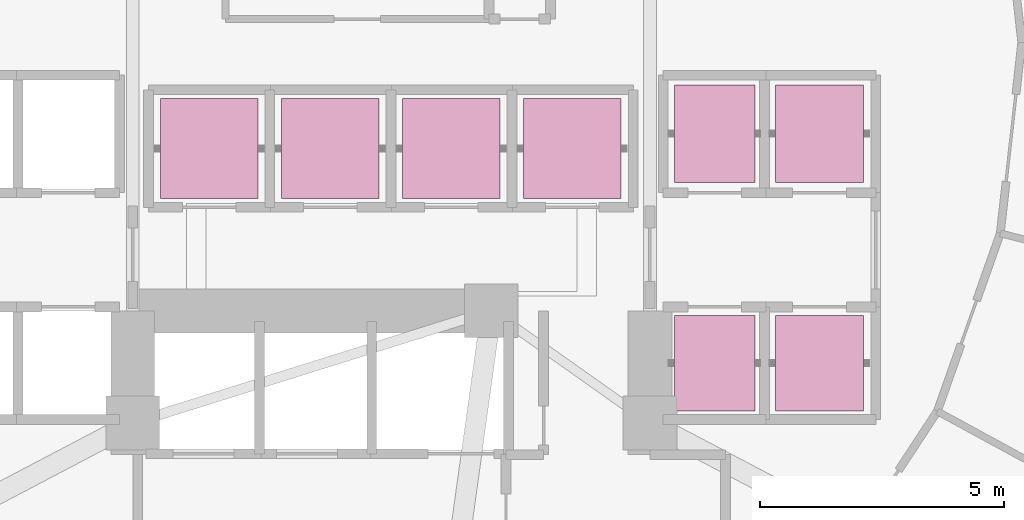
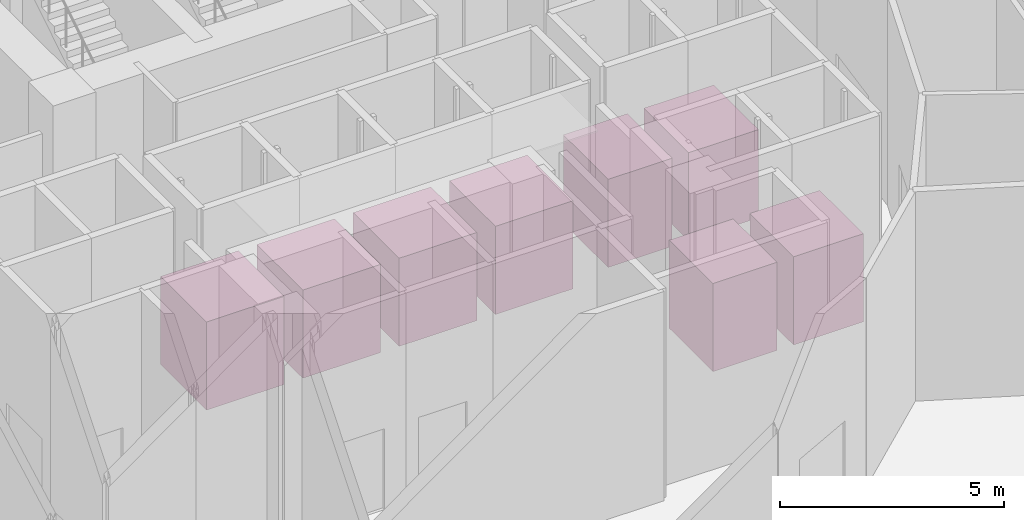
# One storey, part 40 of 40: 8 transport elements.
"""IFC4 building model written with IfcOpenShell, lengths in metres."""

import ifcopenshell
import ifcopenshell.guid

model = None  # the IFC model being written
_history = None  # IfcOwnerHistory: only IFC2X3 demands one
_inside = {}  # id of a spatial element -> (the spatial element, [elements in it])
_under = {}  # id of a project, library or spatial element -> (it, [spatial elements below it])
_declared = {}  # id of a project -> (the project, [libraries it declares])
_typed = {}  # id of a type object -> (the type object, [elements of that type])
_made_of = {}  # id of a material, layer set ... -> (it, [elements and type objects made of it])


def new_model(schema):
    """Start an empty IFC model of exactly this schema.

    Asked for "IFC4X3", IfcOpenShell would pick the latest addendum, in which some entities
    have other attributes; the version numbers below select the first issue.
    IFC2X3 requires an IfcOwnerHistory on every rooted entity: one is made here for all.
    """
    global model, _history
    if schema == "IFC4X3":
        model = ifcopenshell.file(schema_version=(4, 3, 0, 0))
    else:
        model = ifcopenshell.file(schema=schema)
    _inside.clear()
    _under.clear()
    _declared.clear()
    _typed.clear()
    _made_of.clear()
    _history = None
    if model.schema == "IFC2X3":
        org = make("IfcOrganization", Name="unknown")
        user = make(
            "IfcPersonAndOrganization",
            ThePerson=make("IfcPerson", FamilyName="unknown"),
            TheOrganization=org,
        )
        app = make(
            "IfcApplication",
            ApplicationDeveloper=org,
            Version="unknown",
            ApplicationFullName="unknown",
            ApplicationIdentifier="unknown",
        )
        _history = make(
            "IfcOwnerHistory",
            OwningUser=user,
            OwningApplication=app,
            ChangeAction="ADDED",
            CreationDate=0,
        )
    return model


def make(cls, **values):
    """One entity of the class cls with the attributes given. An attribute that is None is left unset."""
    return model.create_entity(
        cls, **{name: value for name, value in values.items() if value is not None}
    )


def rooted(cls, **values):
    """An entity with a GlobalId (a new one), such as an element, a storey or a relation."""
    return make(cls, GlobalId=ifcopenshell.guid.new(), OwnerHistory=_history, **values)


def si_unit(unit_type, name, prefix=None):
    """IfcSIUnit, for example si_unit("LENGTHUNIT", "METRE", prefix="MILLI")."""
    return make("IfcSIUnit", UnitType=unit_type, Prefix=prefix, Name=name)


def assignment(units):
    """IfcUnitAssignment: the units of a project."""
    return None if units is None else make("IfcUnitAssignment", Units=units)


def point(xyz):
    """IfcCartesianPoint."""
    return None if xyz is None else make("IfcCartesianPoint", Coordinates=xyz)


def direction(xyz):
    """IfcDirection."""
    return None if xyz is None else make("IfcDirection", DirectionRatios=xyz)


def frame(location, z_axis=None, x_axis=None):
    """IfcAxis2Placement3D, a coordinate frame: its origin and axes. An axis left out is left unset."""
    return make(
        "IfcAxis2Placement3D",
        Location=point(location),
        Axis=direction(z_axis),
        RefDirection=direction(x_axis),
    )


def frame_2d(location, x_axis=None):
    """IfcAxis2Placement2D, a coordinate frame in the plane: its origin and x axis."""
    return make(
        "IfcAxis2Placement2D", Location=point(location), RefDirection=direction(x_axis)
    )


def origin():
    """The frame at (0, 0, 0) with its axes left unset."""
    return frame((0.0, 0.0, 0.0))


def origin_2d():
    """The frame at (0, 0) in the plane with its x axis left unset."""
    return frame_2d((0.0, 0.0))


def place(relative_to, where):
    """IfcLocalPlacement: puts the frame where relative to a parent placement (None: the world)."""
    return make(
        "IfcLocalPlacement", PlacementRelTo=relative_to, RelativePlacement=where
    )


def context(
    kind, dimensions, precision=None, world=None, true_north=None, identifier=None
):
    """IfcGeometricRepresentationContext, for example the 3D "Model" context."""
    return make(
        "IfcGeometricRepresentationContext",
        ContextIdentifier=identifier,
        ContextType=kind,
        CoordinateSpaceDimension=dimensions,
        Precision=precision,
        WorldCoordinateSystem=world,
        TrueNorth=true_north,
    )


def subcontext(parent, identifier, kind, view, scale=None):
    """IfcGeometricRepresentationSubContext, for example "Body" below "Model"."""
    return make(
        "IfcGeometricRepresentationSubContext",
        ContextIdentifier=identifier,
        ContextType=kind,
        ParentContext=parent,
        TargetScale=scale,
        TargetView=view,
    )


def project(units=None, contexts=None):
    """IfcProject with its units and contexts."""
    return rooted(
        "IfcProject",
        Name="project",
        RepresentationContexts=contexts,
        UnitsInContext=assignment(units),
    )


def spatial(cls, under=None, at=None, **own):
    """A site, building, storey or space (cls), placed at a placement, below another one or the project."""
    s = rooted(cls, ObjectPlacement=at, **own)
    if under is not None:
        _under.setdefault(under.id(), (under, []))[1].append(s)
    return s


def profile(cls, at=None, kind="AREA", **sizes):
    """A parametric profile (cls). Its sizes go by their IFC names, for example OverallWidth=200.0."""
    return make(cls, ProfileType=kind, Position=at, **sizes)


def rectangle(**sizes):
    """IfcRectangleProfileDef."""
    return profile("IfcRectangleProfileDef", **sizes)


def extrude(swept, where, along, depth):
    """IfcExtrudedAreaSolid: the profile swept, set in the frame where, extruded along a direction by depth."""
    return make(
        "IfcExtrudedAreaSolid",
        SweptArea=swept,
        Position=where,
        ExtrudedDirection=direction(along),
        Depth=depth,
    )


def shape(context_of_items, identifier, shape_type, items):
    """IfcShapeRepresentation: the items that make up one representation, for example the "Body"."""
    return make(
        "IfcShapeRepresentation",
        ContextOfItems=context_of_items,
        RepresentationIdentifier=identifier,
        RepresentationType=shape_type,
        Items=items,
    )


def material(Name=None, Category=None):
    """IfcMaterial."""
    return make("IfcMaterial", Name=Name, Category=Category)


def made_of(thing, what):
    """Note that an element or type object is made of a material, layer set ...; save() writes the relation."""
    if what is not None:
        _made_of.setdefault(what.id(), (what, []))[1].append(thing)
    return thing


def type_object(cls, material=None, **own):
    """A type object (cls), such as IfcWallType, which elements share."""
    return made_of(rooted(cls, **own), material)


def element(
    cls,
    number,
    at=None,
    inside=None,
    cuts=None,
    type_object=None,
    material=None,
    context=None,
    identifier="Body",
    shape_type=None,
    held_by="IfcProductDefinitionShape",
    body=None,
    shapes=None,
    **own,
):
    """One element of the class cls, such as IfcWall. Its Tag is "e" and its number.

    at: its placement. inside: the storey or other place that contains it. cuts: it is an
    opening in that element (IfcRelVoidsElement). A single representation is given by context,
    identifier, shape_type and body (its items); several are given by shapes. held_by: the class
    of the entity that holds the representations. save() writes the other relations.
    """
    e = rooted(cls, Tag="e%d" % number, ObjectPlacement=at, **own)
    if body is not None:
        shapes = [shape(context, identifier, shape_type, body)]
    if shapes is not None:
        e.Representation = make(held_by, Representations=shapes)
    if inside is not None:
        _inside.setdefault(inside.id(), (inside, []))[1].append(e)
    if cuts is not None:
        rooted(
            "IfcRelVoidsElement", RelatingBuildingElement=cuts, RelatedOpeningElement=e
        )
    if type_object is not None:
        _typed.setdefault(type_object.id(), (type_object, []))[1].append(e)
    return made_of(e, material)


def aggregate(whole, parts):
    """IfcRelAggregates: a whole, such as a stair, and the parts it consists of."""
    return rooted("IfcRelAggregates", RelatingObject=whole, RelatedObjects=parts)


def save(model, path):
    """Write the relations noted so far, then the file.

    IfcRelAggregates (storeys below a building ...), IfcRelContainedInSpatialStructure (elements
    in a storey), IfcRelDefinesByType, IfcRelAssociatesMaterial and IfcRelDeclares: one each for
    every whole, place, type object, material and project.
    """
    for whole, parts in _under.values():
        aggregate(whole, parts)
    for where, things in _inside.values():
        rooted(
            "IfcRelContainedInSpatialStructure",
            RelatedElements=things,
            RelatingStructure=where,
        )
    for kind, things in _typed.values():
        rooted("IfcRelDefinesByType", RelatedObjects=things, RelatingType=kind)
    for what, things in _made_of.values():
        rooted("IfcRelAssociatesMaterial", RelatedObjects=things, RelatingMaterial=what)
    for by, libraries in _declared.values():
        rooted("IfcRelDeclares", RelatingContext=by, RelatedDefinitions=libraries)
    model.write(path)


model = new_model("IFC4")

# Units and contexts
model_context = context("Model", 3, precision=1e-05, world=origin(), true_north=direction((0.0, 1.0)))
body_context = subcontext(model_context, "Body", "Model", "MODEL_VIEW")
ifc_project = project(units=[si_unit("LENGTHUNIT", "METRE"), si_unit("AREAUNIT", "SQUARE_METRE"), si_unit("VOLUMEUNIT", "CUBIC_METRE"), si_unit("PLANEANGLEUNIT", "RADIAN"), si_unit("MASSUNIT", "GRAM", prefix="KILO")], contexts=[model_context])

# Site, building, storey
site_placement = place(None, origin())
site = spatial("IfcSite", under=ifc_project, at=site_placement, CompositionType="ELEMENT")
building_placement = place(site_placement, origin())
building = spatial("IfcBuilding", under=site, at=building_placement, Name="Nuhasar Tower", CompositionType="ELEMENT")
storey_placement = place(building_placement, origin())
storey = spatial("IfcBuildingStorey", under=building, at=storey_placement, Name="L00", CompositionType="ELEMENT", Elevation=0.0)

# Transport elements
ifc_material = material(Name="Stainless Steel 316L", Category="steel")
transport_element_type_1 = type_object("IfcTransportElementType", Name="LFT-HIGH-1800", PredefinedType="ELEVATOR", material=ifc_material)
for number, where, z_axis, x_axis, name in (
    (1, (35.27001953125, 24.625, 0.0), (0.0, 0.0, 1.0), (1.0, 0.0, 0.0), "Passenger Lift PL-H01"),
    (2, (37.75, 24.625, 0.0), (0.0, 0.0, 1.0), (1.0, 0.0, 0.0), "Passenger Lift PL-H02"),
    (3, (40.22998046875, 24.625, 0.0), (0.0, 0.0, 1.0), (1.0, 0.0, 0.0), "Passenger Lift PL-H03"),
    (4, (42.7099609375, 24.625, 0.0), (0.0, 0.0, 1.0), (1.0, 0.0, 0.0), "Passenger Lift PL-H04"),
):
    element("IfcTransportElement", number, at=place(storey_placement, frame(where, z_axis=z_axis, x_axis=x_axis)), inside=storey, type_object=transport_element_type_1, Name=name, PredefinedType="ELEVATOR", context=body_context, shape_type="SweptSolid", body=[
        extrude(rectangle(XDim=2.0, YDim=2.050048828125, at=origin_2d()), origin(), (0.0, 0.0, 1.0), 2.39990234375),
    ])
transport_element_type_2 = type_object("IfcTransportElementType", Name="LFT-MID-1800", PredefinedType="ELEVATOR", material=ifc_material)
transport_element_1_placement = place(storey_placement, frame((45.625, 24.925048828125, 0.0), z_axis=(0.0, 0.0, 1.0), x_axis=(1.0, 0.0, 0.0)))
element("IfcTransportElement", 5, at=transport_element_1_placement, inside=storey, type_object=transport_element_type_2, Name="Passenger Lift PL-M01", PredefinedType="ELEVATOR", context=body_context, shape_type="SweptSolid", body=[
    extrude(rectangle(XDim=1.64990234375, YDim=2.0, at=origin_2d()), origin(), (0.0, 0.0, 1.0), 2.39990234375),
])
transport_element_2_placement = place(storey_placement, frame((47.77490234375, 24.925048828125, 0.0), z_axis=(0.0, 0.0, 1.0), x_axis=(1.0, 0.0, 0.0)))
element("IfcTransportElement", 6, at=transport_element_2_placement, inside=storey, type_object=transport_element_type_2, Name="Passenger Lift PL-M02", PredefinedType="ELEVATOR", context=body_context, shape_type="SweptSolid", body=[
    extrude(rectangle(XDim=1.800048828125, YDim=2.0, at=origin_2d()), origin(), (0.0, 0.0, 1.0), 2.39990234375),
])
transport_element_3_placement = place(storey_placement, frame((45.625, 20.22509765625, 0.0), z_axis=(0.0, 0.0, 1.0), x_axis=(1.0, 0.0, 0.0)))
element("IfcTransportElement", 7, at=transport_element_3_placement, inside=storey, type_object=transport_element_type_2, Name="Passenger Lift PL-M03", PredefinedType="ELEVATOR", context=body_context, shape_type="SweptSolid", body=[
    extrude(rectangle(XDim=1.64990234375, YDim=1.949951171875, at=origin_2d()), origin(), (0.0, 0.0, 1.0), 2.39990234375),
])
transport_element_4_placement = place(storey_placement, frame((47.77490234375, 20.22509765625, 0.0), z_axis=(0.0, 0.0, 1.0), x_axis=(1.0, 0.0, 0.0)))
element("IfcTransportElement", 8, at=transport_element_4_placement, inside=storey, type_object=transport_element_type_2, Name="Passenger Lift PL-M04", PredefinedType="ELEVATOR", context=body_context, shape_type="SweptSolid", body=[
    extrude(rectangle(XDim=1.800048828125, YDim=1.949951171875, at=origin_2d()), origin(), (0.0, 0.0, 1.0), 2.39990234375),
])

save(model, "model.ifc")
